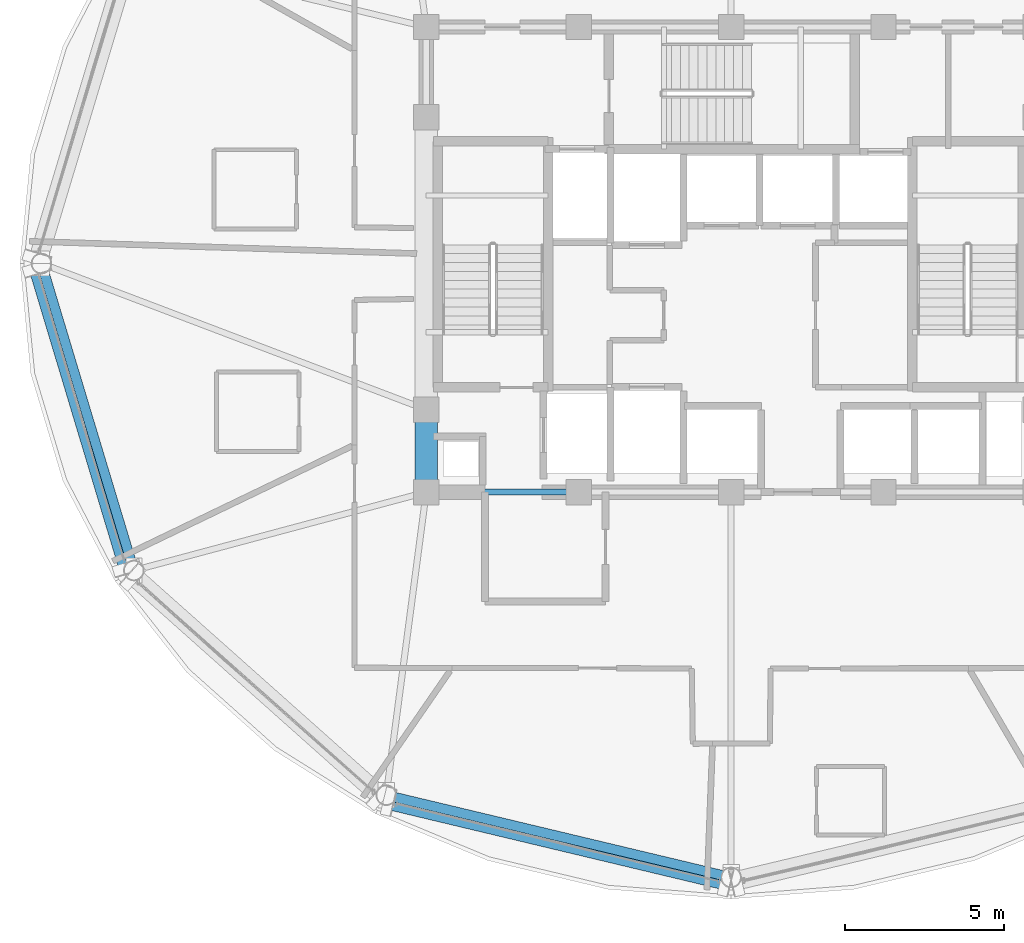
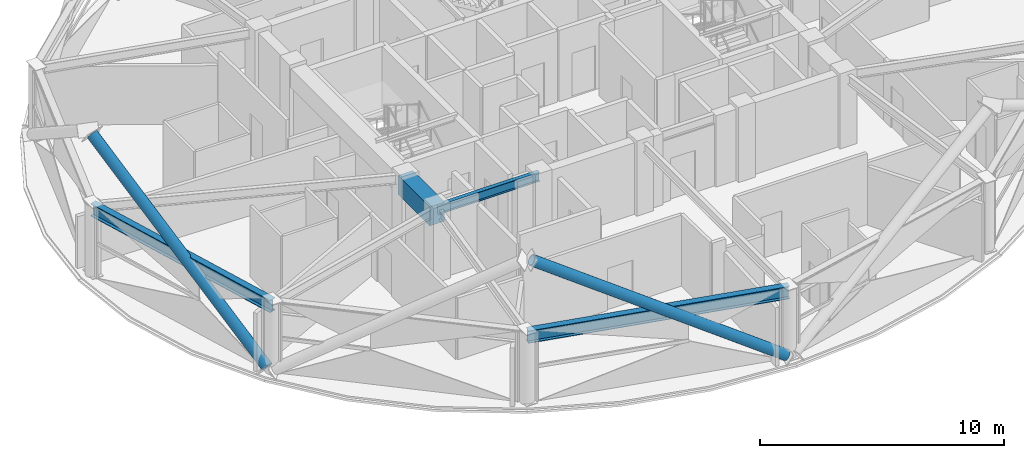
# One storey, part 4 of 29: 4 beams, 2 members.
"""IFC4 building model written with IfcOpenShell, lengths in metres."""

from ifc_helpers import new_model, si_unit, direction, frame, origin, origin_2d, place, context, subcontext, project, spatial, rectangle, hollow_circle, i_section, extrude, material, material_profile, profile_set, type_object, element, save


model = new_model("IFC4")

# Units and contexts
model_context = context("Model", 3, precision=1e-05, world=origin(), true_north=direction((0.0, 1.0)))
body_context = subcontext(model_context, "Body", "Model", "MODEL_VIEW")
ifc_project = project(units=[si_unit("LENGTHUNIT", "METRE"), si_unit("AREAUNIT", "SQUARE_METRE"), si_unit("VOLUMEUNIT", "CUBIC_METRE"), si_unit("PLANEANGLEUNIT", "RADIAN"), si_unit("MASSUNIT", "GRAM", prefix="KILO")], contexts=[model_context])

# Site, building, storey
site_placement = place(None, origin())
site = spatial("IfcSite", under=ifc_project, at=site_placement, CompositionType="ELEMENT")
building_placement = place(site_placement, origin())
building = spatial("IfcBuilding", under=site, at=building_placement, Name="Vantalir Tower", CompositionType="ELEMENT")
storey_placement = place(building_placement, frame((0.0, 0.0, 234.89990234375)))
storey = spatial("IfcBuildingStorey", under=building, at=storey_placement, Name="L59", CompositionType="ELEMENT", Elevation=234.89990234375)

# Beams
ifc_material_1 = material(Name="Concrete C60/75", Category="concrete")
ifc_material_profile_1 = material_profile(ifc_material_1, rectangle(XDim=0.699951171875, YDim=0.949951171875, at=origin_2d()), Name="Concrete C60/75")
ifc_profile_set_1 = profile_set([ifc_material_profile_1], Name="Concrete C60/75")
beam_type_1 = type_object("IfcBeamType", Name="BM-CB-700x950", PredefinedType="USERDEFINED", material=ifc_profile_set_1)
beam_1_placement = place(storey_placement, frame((21.89990234375, 20.39990234375, 3.09521484375), z_axis=(0.0, -1.0, 0.0), x_axis=(1.0, 0.0, 0.0)))
element("IfcBeam", 1, at=beam_1_placement, inside=storey, type_object=beam_type_1, Name="L59 Core Coupling Girder 14", ObjectType="GIRDER", PredefinedType="USERDEFINED", context=body_context, shape_type="SweptSolid", body=[
    extrude(rectangle(XDim=0.699951171875, YDim=0.949951171875, at=origin_2d()), origin(), (0.0, 0.0, 1.0), 2.599853515625),
])
ifc_material_2 = material(Name="Steel S355", Category="steel")
ifc_material_profile_2 = material_profile(ifc_material_2, i_section(OverallWidth=0.19189453125, OverallDepth=0.462890625, WebThickness=0.010498046875, FlangeThickness=0.017578125, at=origin_2d()), Name="Steel S355")
ifc_profile_set_2 = profile_set([ifc_material_profile_2], Name="Steel S355")
beam_type_2 = type_object("IfcBeamType", Name="BM-RB-457x191", PredefinedType="BEAM", material=ifc_profile_set_2)
beam_2_placement = place(storey_placement, frame((21.89990234375, 17.800048828125, 3.338134765625), z_axis=(1.0, 0.0, 0.0), x_axis=(0.0, 1.0, 0.0)))
element("IfcBeam", 2, at=beam_2_placement, inside=storey, type_object=beam_type_2, Name="L59 Core Coupling Girder 01", PredefinedType="BEAM", context=body_context, shape_type="SweptSolid", body=[
    extrude(i_section(OverallWidth=0.19189453125, OverallDepth=0.462890625, WebThickness=0.010498046875, FlangeThickness=0.017578125, at=origin_2d()), origin(), (0.0, 0.0, 1.0), 4.800048828125),
])
ifc_material_3 = material(Name="Steel S460", Category="steel")
ifc_material_profile_3 = material_profile(ifc_material_3, i_section(OverallWidth=0.306884765625, OverallDepth=0.6201171875, WebThickness=0.01416015625, FlangeThickness=0.023681640625, at=origin_2d()), Name="Steel S460")
ifc_profile_set_3 = profile_set([ifc_material_profile_3], Name="Steel S460")
beam_type_3 = type_object("IfcBeamType", Name="BM-RG-610x305", PredefinedType="USERDEFINED", material=ifc_profile_set_3)
beam_3_placement = place(storey_placement, frame((9.781982421875, 25.0, 3.260009765625), z_axis=(0.288239655449, -0.957558301633, 0.0), x_axis=(0.957558301633, 0.288239655449, 0.0)))
element("IfcBeam", 3, at=beam_3_placement, inside=storey, type_object=beam_type_3, Name="L59 Circumferential Ring Girder 07", ObjectType="GIRDER", PredefinedType="USERDEFINED", context=body_context, shape_type="SweptSolid", body=[
    extrude(i_section(OverallWidth=0.306884765625, OverallDepth=0.6201171875, WebThickness=0.01416015625, FlangeThickness=0.023681640625, at=origin_2d()), origin(), (0.0, 0.0, 1.0), 10.095458984375),
])
beam_4_placement = place(storey_placement, frame((20.64111328125, 8.257080078125, 3.260009765625), z_axis=(0.97271250926, -0.23201373737, 0.0), x_axis=(0.23201373737, 0.97271250926, 0.0)))
element("IfcBeam", 4, at=beam_4_placement, inside=storey, type_object=beam_type_3, Name="L59 Circumferential Ring Girder 09", ObjectType="GIRDER", PredefinedType="USERDEFINED", context=body_context, shape_type="SweptSolid", body=[
    extrude(i_section(OverallWidth=0.306884765625, OverallDepth=0.6201171875, WebThickness=0.01416015625, FlangeThickness=0.023681640625, at=origin_2d()), origin(), (0.0, 0.0, 1.0), 11.16357421875),
])

# Members
ifc_material_profile_4 = material_profile(ifc_material_3, hollow_circle(Radius=0.25, WallThickness=0.031982421875, at=origin_2d()), Name="Steel S460")
ifc_profile_set_4 = profile_set([ifc_material_profile_4], Name="Steel S460")
member_type = type_object("IfcMemberType", Name="MEM-DB-500x32", PredefinedType="BRACE", material=ifc_profile_set_4)
member_1_placement = place(storey_placement, frame((12.47509765625, 15.409912109375, 0.2060546875), z_axis=(-0.235567399695, 0.783653674596, 0.574799894305), x_axis=(-0.957667620828, -0.287876237327, 0.0)))
element("IfcMember", 5, at=member_1_placement, inside=storey, type_object=member_type, Name="L59 Perimeter S460 Diagrid Brace R22R", PredefinedType="BRACE", context=body_context, shape_type="SweptSolid", body=[
    extrude(hollow_circle(Radius=0.25, WallThickness=0.031982421875, at=origin_2d()), origin(), (0.0, 0.0, 1.0), 12.01806640625),
])
member_2_placement = place(storey_placement, frame((31.319091796875, 5.52001953125, 0.197998046875), z_axis=(-0.820779852359, 0.196052589835, 0.536548055612), x_axis=(-0.232325647217, -0.972638058913, 0.0)))
element("IfcMember", 6, at=member_2_placement, inside=storey, type_object=member_type, Name="L59 Perimeter S460 Diagrid Brace R28R", PredefinedType="BRACE", context=body_context, shape_type="SweptSolid", body=[
    extrude(hollow_circle(Radius=0.25, WallThickness=0.031982421875, at=origin_2d()), origin(), (0.0, 0.0, 1.0), 12.90478515625),
])

save(model, "model.ifc")
